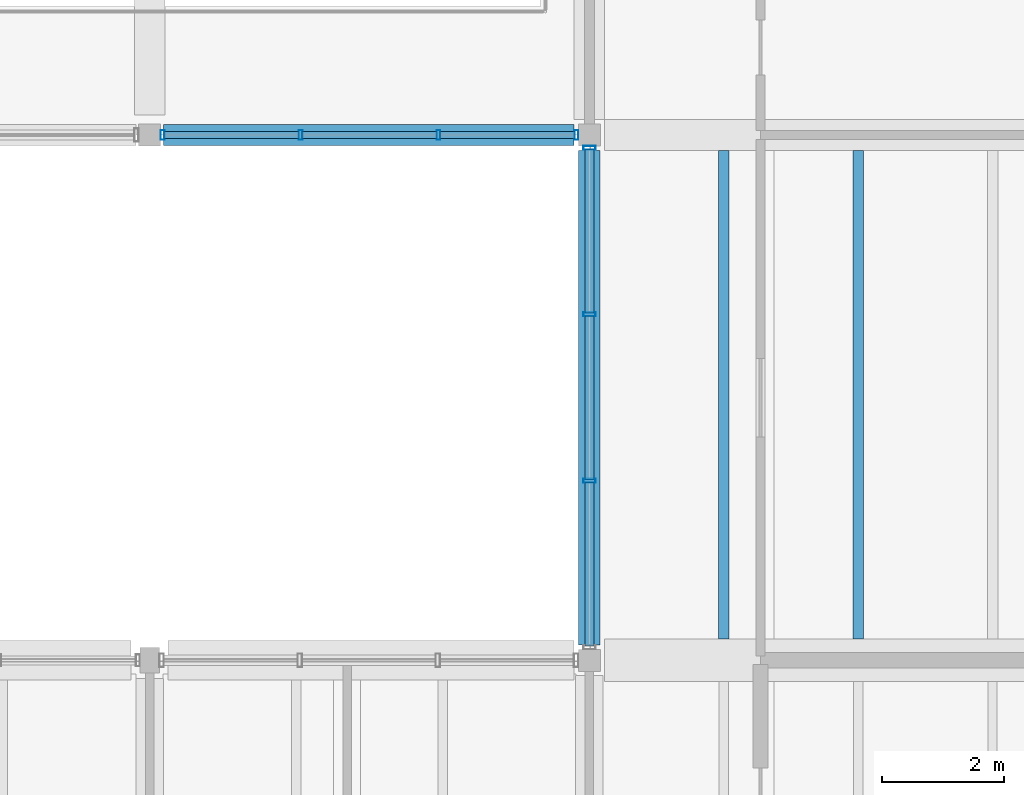
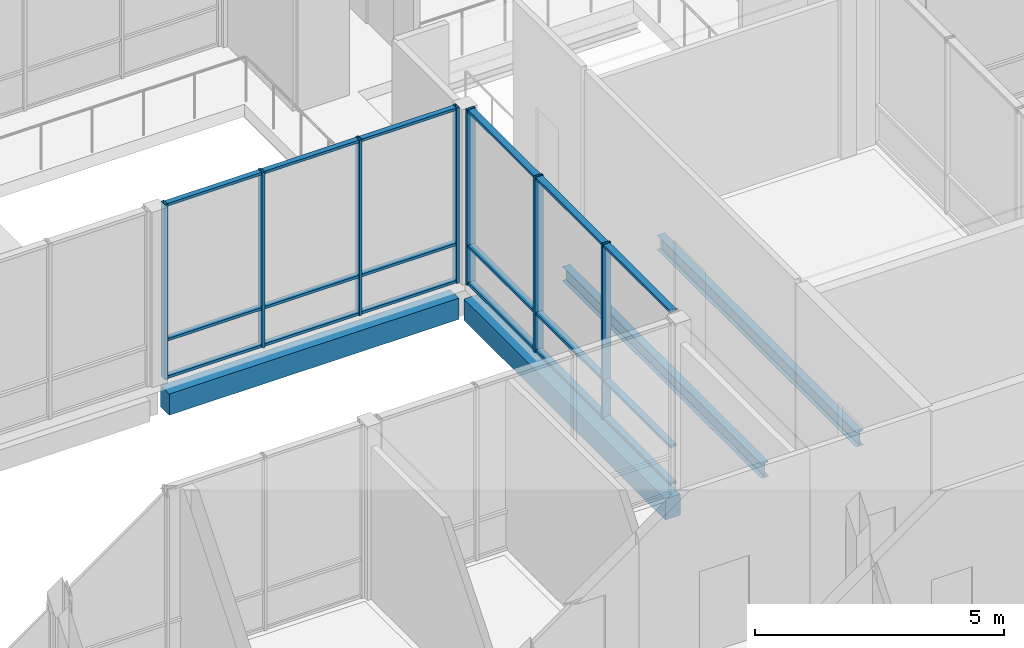
# One storey, part 38 of 146: 25 members, 4 beams, 2 elements without a shape of their own.
"""IFC4 building model written with IfcOpenShell, lengths in metres."""

from ifc_helpers import new_model, si_unit, direction, frame, origin, origin_2d, place, context, subcontext, project, spatial, rectangle, hollow_rectangle, i_section, extrude, material, material_profile, profile_set, type_object, element, aggregate, save


model = new_model("IFC4")

# Units and contexts
model_context = context("Model", 3, precision=1e-05, world=origin(), true_north=direction((0.0, 1.0)))
body_context = subcontext(model_context, "Body", "Model", "MODEL_VIEW")
ifc_project = project(units=[si_unit("LENGTHUNIT", "METRE"), si_unit("AREAUNIT", "SQUARE_METRE"), si_unit("VOLUMEUNIT", "CUBIC_METRE"), si_unit("PLANEANGLEUNIT", "RADIAN"), si_unit("MASSUNIT", "GRAM", prefix="KILO")], contexts=[model_context])

# Site, building, storey
site_placement = place(None, origin())
site = spatial("IfcSite", under=ifc_project, at=site_placement, CompositionType="ELEMENT")
building_placement = place(site_placement, origin())
building = spatial("IfcBuilding", under=site, at=building_placement, Name="Hawrajan Terrace Health Centre", CompositionType="ELEMENT")
storey_placement = place(building_placement, frame((0.0, 0.0, 4.5)))
storey = spatial("IfcBuildingStorey", under=building, at=storey_placement, Name="L01", CompositionType="ELEMENT", Elevation=4.5)

# Curtain wall, members
ifc_material_1 = material(Name="Anodized bronze aluminium and low-E solar glazing", Category="aluminium")
curtain_wall_type_1 = type_object("IfcCurtainWallType", Name="CW_Court_SeriesB3", PredefinedType="USERDEFINED", material=ifc_material_1)
curtain_wall_1_placement = place(storey_placement, origin())
curtain_wall_1 = element("IfcCurtainWall", 1, at=curtain_wall_1_placement, inside=storey, type_object=curtain_wall_type_1, Name="Curtain wall CW-L01-078", ObjectType="UNITISED CURTAIN WALL", PredefinedType="USERDEFINED")
ifc_material_2 = material(Name="Anodized bronze aluminium 6063-T6", Category="aluminium")
ifc_material_profile_1 = material_profile(ifc_material_2, hollow_rectangle(XDim=0.06494140625, YDim=0.159912109375, WallThickness=0.00390625, at=origin_2d()), Name="CW MUL 65x160")
ifc_profile_set_1 = profile_set([ifc_material_profile_1], Name="Anodized bronze aluminium 6063-T6")
member_type_1 = type_object("IfcMemberType", Name="CWMullion_65x160", PredefinedType="MULLION", material=ifc_profile_set_1)
member_1_placement = place(storey_placement, frame((55.21240234375, 27.199951171875, -0.0048828125), z_axis=(0.0, 0.0, 1.0), x_axis=(1.0, 0.0, 0.0)))
member_1 = element("IfcMember", 2, at=member_1_placement, type_object=member_type_1, Name="Mullion CW-L01-078-M1", PredefinedType="MULLION", context=body_context, shape_type="SweptSolid", body=[
    extrude(hollow_rectangle(XDim=0.06494140625, YDim=0.159912109375, WallThickness=0.00390625, at=origin_2d()), origin(), (0.0, 0.0, 1.0), 4.309814453125),
])
member_2_placement = place(storey_placement, frame((57.470703125, 27.199951171875, -0.0048828125), z_axis=(0.0, 0.0, 1.0), x_axis=(1.0, 0.0, 0.0)))
member_2 = element("IfcMember", 3, at=member_2_placement, type_object=member_type_1, Name="Mullion CW-L01-078-M2", PredefinedType="MULLION", context=body_context, shape_type="SweptSolid", body=[
    extrude(hollow_rectangle(XDim=0.06494140625, YDim=0.159912109375, WallThickness=0.00390625, at=origin_2d()), origin(), (0.0, 0.0, 1.0), 4.309814453125),
])
member_3_placement = place(storey_placement, frame((59.729248046875, 27.199951171875, -0.0048828125), z_axis=(0.0, 0.0, 1.0), x_axis=(1.0, 0.0, 0.0)))
member_3 = element("IfcMember", 4, at=member_3_placement, type_object=member_type_1, Name="Mullion CW-L01-078-M3", PredefinedType="MULLION", context=body_context, shape_type="SweptSolid", body=[
    extrude(hollow_rectangle(XDim=0.06494140625, YDim=0.159912109375, WallThickness=0.00390625, at=origin_2d()), origin(), (0.0, 0.0, 1.0), 4.309814453125),
])
member_4_placement = place(storey_placement, frame((61.987548828125, 27.199951171875, -0.0048828125), z_axis=(0.0, 0.0, 1.0), x_axis=(1.0, 0.0, 0.0)))
member_4 = element("IfcMember", 5, at=member_4_placement, type_object=member_type_1, Name="Mullion CW-L01-078-M4", PredefinedType="MULLION", context=body_context, shape_type="SweptSolid", body=[
    extrude(hollow_rectangle(XDim=0.06494140625, YDim=0.159912109375, WallThickness=0.00390625, at=origin_2d()), origin(), (0.0, 0.0, 1.0), 4.309814453125),
])

curtain_wall_type_2 = type_object("IfcCurtainWallType", Name="CW_Hall_SeriesD1", PredefinedType="USERDEFINED", material=ifc_material_1)
curtain_wall_2_placement = place(storey_placement, origin())
curtain_wall_2 = element("IfcCurtainWall", 6, at=curtain_wall_2_placement, inside=storey, type_object=curtain_wall_type_2, Name="Curtain wall CW-L01-082", ObjectType="UNITISED CURTAIN WALL", PredefinedType="USERDEFINED")
ifc_material_profile_2 = material_profile(ifc_material_2, hollow_rectangle(XDim=0.06494140625, YDim=0.199951171875, WallThickness=0.00439453125, at=origin_2d()), Name="CW MUL 65x200")
ifc_profile_set_2 = profile_set([ifc_material_profile_2], Name="Anodized bronze aluminium 6063-T6")
member_type_2 = type_object("IfcMemberType", Name="CWMullion_65x200", PredefinedType="MULLION", material=ifc_profile_set_2)
member_5_placement = place(storey_placement, frame((62.199951171875, 21.53759765625, -0.0048828125), z_axis=(0.0, 0.0, 1.0), x_axis=(0.0, 1.0, 0.0)))
member_5 = element("IfcMember", 7, at=member_5_placement, type_object=member_type_2, Name="Mullion CW-L01-082-M2", PredefinedType="MULLION", context=body_context, shape_type="SweptSolid", body=[
    extrude(hollow_rectangle(XDim=0.06494140625, YDim=0.199951171875, WallThickness=0.00439453125, at=origin_2d()), origin(), (0.0, 0.0, 1.0), 4.309814453125),
])
member_6_placement = place(storey_placement, frame((62.199951171875, 24.262451171875, -0.0048828125), z_axis=(0.0, 0.0, 1.0), x_axis=(0.0, 1.0, 0.0)))
member_6 = element("IfcMember", 8, at=member_6_placement, type_object=member_type_2, Name="Mullion CW-L01-082-M3", PredefinedType="MULLION", context=body_context, shape_type="SweptSolid", body=[
    extrude(hollow_rectangle(XDim=0.06494140625, YDim=0.199951171875, WallThickness=0.00439453125, at=origin_2d()), origin(), (0.0, 0.0, 1.0), 4.309814453125),
])
member_7_placement = place(storey_placement, frame((62.199951171875, 26.987548828125, -0.0048828125), z_axis=(0.0, 0.0, 1.0), x_axis=(0.0, 1.0, 0.0)))
member_7 = element("IfcMember", 9, at=member_7_placement, type_object=member_type_2, Name="Mullion CW-L01-082-M4", PredefinedType="MULLION", context=body_context, shape_type="SweptSolid", body=[
    extrude(hollow_rectangle(XDim=0.06494140625, YDim=0.199951171875, WallThickness=0.00439453125, at=origin_2d()), origin(), (0.0, 0.0, 1.0), 4.309814453125),
])

# Member
ifc_material_profile_3 = material_profile(ifc_material_2, hollow_rectangle(XDim=0.06494140625, YDim=0.1201171875, WallThickness=0.00341796875, at=origin_2d()), Name="CW TRN 65x120")
ifc_profile_set_3 = profile_set([ifc_material_profile_3], Name="Anodized bronze aluminium 6063-T6")
member_type_3 = type_object("IfcMemberType", Name="CWTransom_65x120", PredefinedType="USERDEFINED", material=ifc_profile_set_3)
member_8_placement = place(storey_placement, frame((55.239013671875, 27.199951171875, 0.032470703125), z_axis=(1.0, 0.0, 0.0), x_axis=(0.0, 0.0, 1.0)))
member_8 = element("IfcMember", 10, at=member_8_placement, type_object=member_type_3, Name="Transom CW-L01-078-T1-1", ObjectType="TRANSOM", PredefinedType="USERDEFINED", context=body_context, shape_type="SweptSolid", body=[
    extrude(hollow_rectangle(XDim=0.06494140625, YDim=0.1201171875, WallThickness=0.00341796875, at=origin_2d()), origin(), (0.0, 0.0, 1.0), 2.205322265625),
])

member_9_placement = place(storey_placement, frame((55.239013671875, 27.199951171875, 0.949951171875), z_axis=(1.0, 0.0, 0.0), x_axis=(0.0, 0.0, 1.0)))
member_9 = element("IfcMember", 11, at=member_9_placement, type_object=member_type_3, Name="Transom CW-L01-078-T1-2", ObjectType="TRANSOM", PredefinedType="USERDEFINED", context=body_context, shape_type="SweptSolid", body=[
    extrude(hollow_rectangle(XDim=0.06494140625, YDim=0.1201171875, WallThickness=0.00341796875, at=origin_2d()), origin(), (0.0, 0.0, 1.0), 2.205322265625),
])

member_10_placement = place(storey_placement, frame((55.239013671875, 27.199951171875, 4.267578125), z_axis=(1.0, 0.0, 0.0), x_axis=(0.0, 0.0, 1.0)))
member_10 = element("IfcMember", 12, at=member_10_placement, type_object=member_type_3, Name="Transom CW-L01-078-T1-3", ObjectType="TRANSOM", PredefinedType="USERDEFINED", context=body_context, shape_type="SweptSolid", body=[
    extrude(hollow_rectangle(XDim=0.06494140625, YDim=0.1201171875, WallThickness=0.00341796875, at=origin_2d()), origin(), (0.0, 0.0, 1.0), 2.205322265625),
])

member_11_placement = place(storey_placement, frame((57.497314453125, 27.199951171875, 0.032470703125), z_axis=(1.0, 0.0, 0.0), x_axis=(0.0, 0.0, 1.0)))
member_11 = element("IfcMember", 13, at=member_11_placement, type_object=member_type_3, Name="Transom CW-L01-078-T2-1", ObjectType="TRANSOM", PredefinedType="USERDEFINED", context=body_context, shape_type="SweptSolid", body=[
    extrude(hollow_rectangle(XDim=0.06494140625, YDim=0.1201171875, WallThickness=0.00341796875, at=origin_2d()), origin(), (0.0, 0.0, 1.0), 2.205322265625),
])

member_12_placement = place(storey_placement, frame((57.497314453125, 27.199951171875, 0.949951171875), z_axis=(1.0, 0.0, 0.0), x_axis=(0.0, 0.0, 1.0)))
member_12 = element("IfcMember", 14, at=member_12_placement, type_object=member_type_3, Name="Transom CW-L01-078-T2-2", ObjectType="TRANSOM", PredefinedType="USERDEFINED", context=body_context, shape_type="SweptSolid", body=[
    extrude(hollow_rectangle(XDim=0.06494140625, YDim=0.1201171875, WallThickness=0.00341796875, at=origin_2d()), origin(), (0.0, 0.0, 1.0), 2.205322265625),
])

member_13_placement = place(storey_placement, frame((57.497314453125, 27.199951171875, 4.267578125), z_axis=(1.0, 0.0, 0.0), x_axis=(0.0, 0.0, 1.0)))
member_13 = element("IfcMember", 15, at=member_13_placement, type_object=member_type_3, Name="Transom CW-L01-078-T2-3", ObjectType="TRANSOM", PredefinedType="USERDEFINED", context=body_context, shape_type="SweptSolid", body=[
    extrude(hollow_rectangle(XDim=0.06494140625, YDim=0.1201171875, WallThickness=0.00341796875, at=origin_2d()), origin(), (0.0, 0.0, 1.0), 2.205322265625),
])

member_14_placement = place(storey_placement, frame((59.755615234375, 27.199951171875, 0.032470703125), z_axis=(1.0, 0.0, 0.0), x_axis=(0.0, 0.0, 1.0)))
member_14 = element("IfcMember", 16, at=member_14_placement, type_object=member_type_3, Name="Transom CW-L01-078-T3-1", ObjectType="TRANSOM", PredefinedType="USERDEFINED", context=body_context, shape_type="SweptSolid", body=[
    extrude(hollow_rectangle(XDim=0.06494140625, YDim=0.1201171875, WallThickness=0.00341796875, at=origin_2d()), origin(), (0.0, 0.0, 1.0), 2.205322265625),
])

member_15_placement = place(storey_placement, frame((59.755615234375, 27.199951171875, 0.949951171875), z_axis=(1.0, 0.0, 0.0), x_axis=(0.0, 0.0, 1.0)))
member_15 = element("IfcMember", 17, at=member_15_placement, type_object=member_type_3, Name="Transom CW-L01-078-T3-2", ObjectType="TRANSOM", PredefinedType="USERDEFINED", context=body_context, shape_type="SweptSolid", body=[
    extrude(hollow_rectangle(XDim=0.06494140625, YDim=0.1201171875, WallThickness=0.00341796875, at=origin_2d()), origin(), (0.0, 0.0, 1.0), 2.205322265625),
])

member_16_placement = place(storey_placement, frame((59.755615234375, 27.199951171875, 4.267578125), z_axis=(1.0, 0.0, 0.0), x_axis=(0.0, 0.0, 1.0)))
member_16 = element("IfcMember", 18, at=member_16_placement, type_object=member_type_3, Name="Transom CW-L01-078-T3-3", ObjectType="TRANSOM", PredefinedType="USERDEFINED", context=body_context, shape_type="SweptSolid", body=[
    extrude(hollow_rectangle(XDim=0.06494140625, YDim=0.1201171875, WallThickness=0.00341796875, at=origin_2d()), origin(), (0.0, 0.0, 1.0), 2.205322265625),
])

aggregate(curtain_wall_1, [member_1, member_2, member_3, member_4, member_8, member_9, member_10, member_11, member_12, member_13, member_14, member_15, member_16])

ifc_material_profile_4 = material_profile(ifc_material_2, hollow_rectangle(XDim=0.06494140625, YDim=0.14990234375, WallThickness=0.00390625, at=origin_2d()), Name="CW TRN 65x150")
ifc_profile_set_4 = profile_set([ifc_material_profile_4], Name="Anodized bronze aluminium 6063-T6")
member_type_4 = type_object("IfcMemberType", Name="CWTransom_65x150", PredefinedType="USERDEFINED", material=ifc_profile_set_4)
member_17_placement = place(storey_placement, frame((62.199951171875, 18.839111328125, 0.032470703125), z_axis=(0.0, 1.0, 0.0), x_axis=(0.0, 0.0, 1.0)))
member_17 = element("IfcMember", 19, at=member_17_placement, type_object=member_type_4, Name="Transom CW-L01-082-T1-1", ObjectType="TRANSOM", PredefinedType="USERDEFINED", context=body_context, shape_type="SweptSolid", body=[
    extrude(hollow_rectangle(XDim=0.06494140625, YDim=0.14990234375, WallThickness=0.00390625, at=origin_2d()), origin(), (0.0, 0.0, 1.0), 2.671875),
])

member_18_placement = place(storey_placement, frame((62.199951171875, 18.839111328125, 0.949951171875), z_axis=(0.0, 1.0, 0.0), x_axis=(0.0, 0.0, 1.0)))
member_18 = element("IfcMember", 20, at=member_18_placement, type_object=member_type_4, Name="Transom CW-L01-082-T1-2", ObjectType="TRANSOM", PredefinedType="USERDEFINED", context=body_context, shape_type="SweptSolid", body=[
    extrude(hollow_rectangle(XDim=0.06494140625, YDim=0.14990234375, WallThickness=0.00390625, at=origin_2d()), origin(), (0.0, 0.0, 1.0), 2.671875),
])

member_19_placement = place(storey_placement, frame((62.199951171875, 18.839111328125, 4.267578125), z_axis=(0.0, 1.0, 0.0), x_axis=(0.0, 0.0, 1.0)))
member_19 = element("IfcMember", 21, at=member_19_placement, type_object=member_type_4, Name="Transom CW-L01-082-T1-3", ObjectType="TRANSOM", PredefinedType="USERDEFINED", context=body_context, shape_type="SweptSolid", body=[
    extrude(hollow_rectangle(XDim=0.06494140625, YDim=0.14990234375, WallThickness=0.00390625, at=origin_2d()), origin(), (0.0, 0.0, 1.0), 2.671875),
])

member_20_placement = place(storey_placement, frame((62.199951171875, 21.56396484375, 0.032470703125), z_axis=(0.0, 1.0, 0.0), x_axis=(0.0, 0.0, 1.0)))
member_20 = element("IfcMember", 22, at=member_20_placement, type_object=member_type_4, Name="Transom CW-L01-082-T2-1", ObjectType="TRANSOM", PredefinedType="USERDEFINED", context=body_context, shape_type="SweptSolid", body=[
    extrude(hollow_rectangle(XDim=0.06494140625, YDim=0.14990234375, WallThickness=0.00390625, at=origin_2d()), origin(), (0.0, 0.0, 1.0), 2.672119140625),
])

member_21_placement = place(storey_placement, frame((62.199951171875, 21.56396484375, 0.949951171875), z_axis=(0.0, 1.0, 0.0), x_axis=(0.0, 0.0, 1.0)))
member_21 = element("IfcMember", 23, at=member_21_placement, type_object=member_type_4, Name="Transom CW-L01-082-T2-2", ObjectType="TRANSOM", PredefinedType="USERDEFINED", context=body_context, shape_type="SweptSolid", body=[
    extrude(hollow_rectangle(XDim=0.06494140625, YDim=0.14990234375, WallThickness=0.00390625, at=origin_2d()), origin(), (0.0, 0.0, 1.0), 2.672119140625),
])

member_22_placement = place(storey_placement, frame((62.199951171875, 21.56396484375, 4.267578125), z_axis=(0.0, 1.0, 0.0), x_axis=(0.0, 0.0, 1.0)))
member_22 = element("IfcMember", 24, at=member_22_placement, type_object=member_type_4, Name="Transom CW-L01-082-T2-3", ObjectType="TRANSOM", PredefinedType="USERDEFINED", context=body_context, shape_type="SweptSolid", body=[
    extrude(hollow_rectangle(XDim=0.06494140625, YDim=0.14990234375, WallThickness=0.00390625, at=origin_2d()), origin(), (0.0, 0.0, 1.0), 2.672119140625),
])

member_23_placement = place(storey_placement, frame((62.199951171875, 24.2890625, 0.032470703125), z_axis=(0.0, 1.0, 0.0), x_axis=(0.0, 0.0, 1.0)))
member_23 = element("IfcMember", 25, at=member_23_placement, type_object=member_type_4, Name="Transom CW-L01-082-T3-1", ObjectType="TRANSOM", PredefinedType="USERDEFINED", context=body_context, shape_type="SweptSolid", body=[
    extrude(hollow_rectangle(XDim=0.06494140625, YDim=0.14990234375, WallThickness=0.00390625, at=origin_2d()), origin(), (0.0, 0.0, 1.0), 2.671875),
])

member_24_placement = place(storey_placement, frame((62.199951171875, 24.2890625, 0.949951171875), z_axis=(0.0, 1.0, 0.0), x_axis=(0.0, 0.0, 1.0)))
member_24 = element("IfcMember", 26, at=member_24_placement, type_object=member_type_4, Name="Transom CW-L01-082-T3-2", ObjectType="TRANSOM", PredefinedType="USERDEFINED", context=body_context, shape_type="SweptSolid", body=[
    extrude(hollow_rectangle(XDim=0.06494140625, YDim=0.14990234375, WallThickness=0.00390625, at=origin_2d()), origin(), (0.0, 0.0, 1.0), 2.671875),
])

member_25_placement = place(storey_placement, frame((62.199951171875, 24.2890625, 4.267578125), z_axis=(0.0, 1.0, 0.0), x_axis=(0.0, 0.0, 1.0)))
member_25 = element("IfcMember", 27, at=member_25_placement, type_object=member_type_4, Name="Transom CW-L01-082-T3-3", ObjectType="TRANSOM", PredefinedType="USERDEFINED", context=body_context, shape_type="SweptSolid", body=[
    extrude(hollow_rectangle(XDim=0.06494140625, YDim=0.14990234375, WallThickness=0.00390625, at=origin_2d()), origin(), (0.0, 0.0, 1.0), 2.671875),
])

aggregate(curtain_wall_2, [member_5, member_6, member_7, member_17, member_18, member_19, member_20, member_21, member_22, member_23, member_24, member_25])

# Beams
ifc_material_3 = material(Name="Concrete C40/50", Category="concrete")
ifc_material_profile_5 = material_profile(ifc_material_3, rectangle(XDim=0.35009765625, YDim=0.52001953125, at=origin_2d()), Name="RC SP 350x520")
ifc_profile_set_5 = profile_set([ifc_material_profile_5], Name="Concrete C40/50")
beam_type_1 = type_object("IfcBeamType", Name="RCSpandrel_350x520", PredefinedType="SPANDREL", material=ifc_profile_set_5)
beam_1_placement = place(storey_placement, frame((55.22509765625, 27.199951171875, -0.56005859375), z_axis=(1.0, 0.0, 0.0), x_axis=(0.0, 1.0, 0.0)))
element("IfcBeam", 28, at=beam_1_placement, inside=storey, type_object=beam_type_1, Name="Beam BM-X-L01-W-08-Y4", PredefinedType="SPANDREL", context=body_context, shape_type="SweptSolid", body=[
    extrude(rectangle(XDim=0.35009765625, YDim=0.52001953125, at=origin_2d()), origin(), (0.0, 0.0, 1.0), 6.724853515625),
])
beam_2_placement = place(storey_placement, frame((62.199951171875, 18.85009765625, -0.56005859375), z_axis=(0.0, 1.0, 0.0), x_axis=(-1.0, 0.0, 0.0)))
element("IfcBeam", 29, at=beam_2_placement, inside=storey, type_object=beam_type_1, Name="Beam BM-Y-L01-W-X09-3", PredefinedType="SPANDREL", context=body_context, shape_type="SweptSolid", body=[
    extrude(rectangle(XDim=0.35009765625, YDim=0.52001953125, at=origin_2d()), origin(), (0.0, 0.0, 1.0), 8.099853515625),
])
ifc_material_4 = material(Name="Steel S355", Category="steel")
ifc_material_profile_6 = material_profile(ifc_material_4, i_section(OverallWidth=0.169921875, OverallDepth=0.360107421875, WebThickness=0.008056640625, FlangeThickness=0.0126953125, FilletRadius=0.01806640625, at=origin_2d()), Name="IPE 360")
ifc_profile_set_6 = profile_set([ifc_material_profile_6], Name="Steel S355")
beam_type_2 = type_object("IfcBeamType", Name="SteelBeam_IPE360", PredefinedType="BEAM", material=ifc_profile_set_6)
for number, where, z_axis, x_axis, name in (
    (30, (64.39990234375, 18.949951171875, -0.47998046875), (0.0, 1.0, 0.0), (-1.0, 0.0, 0.0), "Secondary joist JST-L01-W-09-3-1"),
    (31, (66.60009765625, 18.949951171875, -0.47998046875), (0.0, 1.0, 0.0), (-1.0, 0.0, 0.0), "Secondary joist JST-L01-W-09-3-2"),
):
    element("IfcBeam", number, at=place(storey_placement, frame(where, z_axis=z_axis, x_axis=x_axis)), inside=storey, type_object=beam_type_2, Name=name, PredefinedType="BEAM", context=body_context, shape_type="SweptSolid", body=[
        extrude(i_section(OverallWidth=0.169921875, OverallDepth=0.360107421875, WebThickness=0.008056640625, FlangeThickness=0.0126953125, FilletRadius=0.01806640625, at=origin_2d()), origin(), (0.0, 0.0, 1.0), 8.0),
    ])

save(model, "model.ifc")
